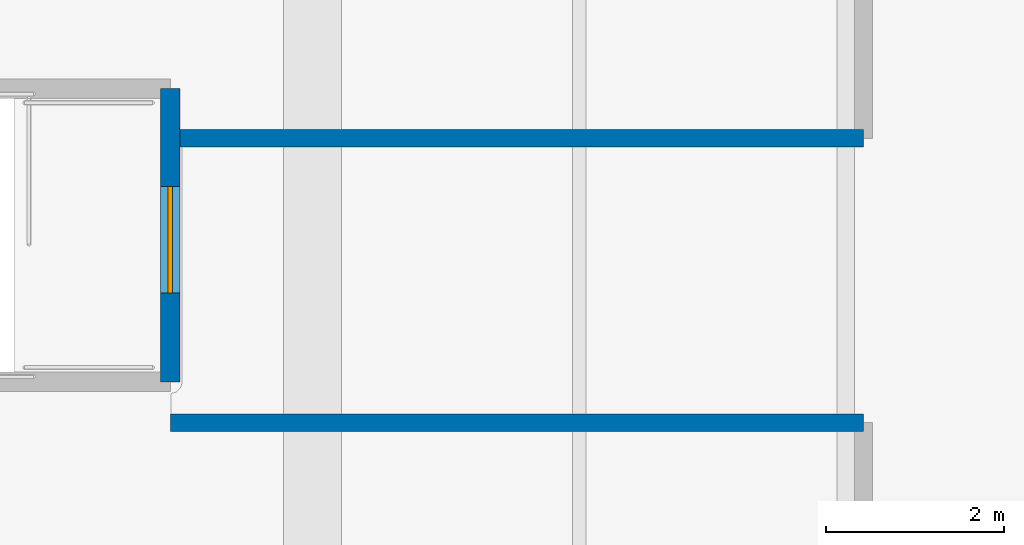
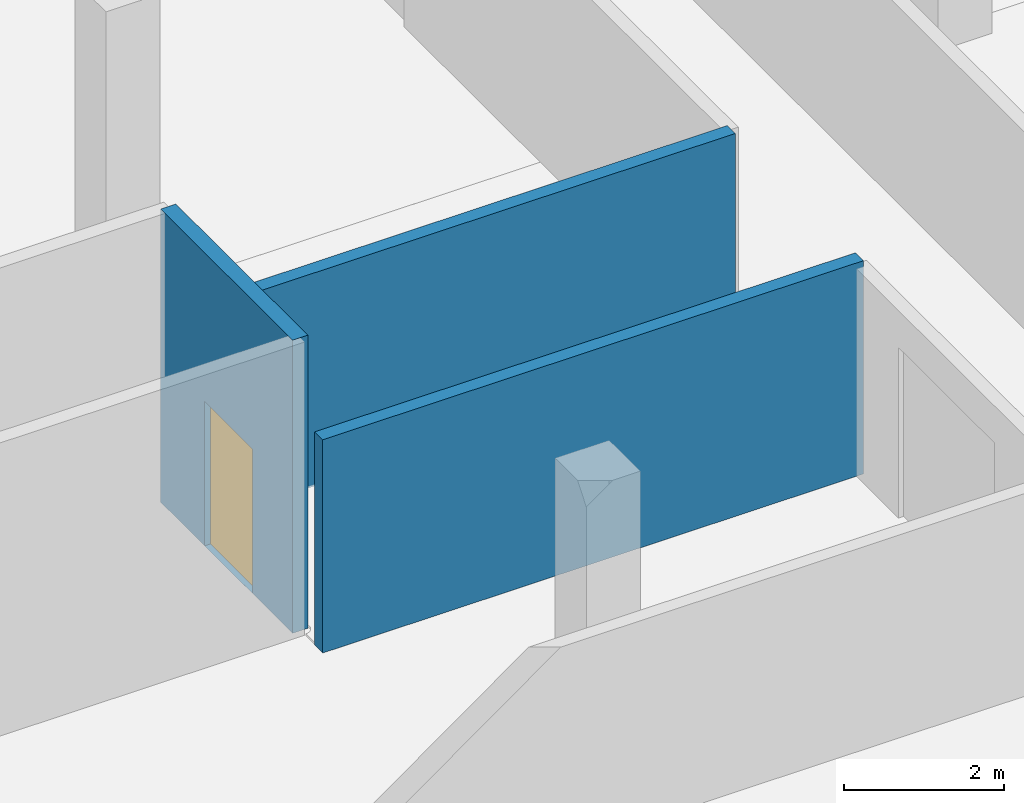
# One storey, part 80 of 112: 3 walls, 1 door, 1 opening.
"""IFC4 building model written with IfcOpenShell, lengths in metres."""

from ifc_helpers import new_model, si_unit, direction, frame, frame_2d, origin, place, context, subcontext, project, spatial, rectangle, extrude, material, layer, layer_set, type_object, element, fill, save


model = new_model("IFC4")

# Units and contexts
model_context = context("Model", 3, precision=1e-05, world=origin(), true_north=direction((0.0, 1.0)))
body_context = subcontext(model_context, "Body", "Model", "MODEL_VIEW")
ifc_project = project(units=[si_unit("LENGTHUNIT", "METRE"), si_unit("AREAUNIT", "SQUARE_METRE"), si_unit("VOLUMEUNIT", "CUBIC_METRE"), si_unit("PLANEANGLEUNIT", "RADIAN"), si_unit("MASSUNIT", "GRAM", prefix="KILO")], contexts=[model_context])

# Site, building, storey
site_placement = place(None, origin())
site = spatial("IfcSite", under=ifc_project, at=site_placement, CompositionType="ELEMENT")
building_placement = place(site_placement, origin())
building = spatial("IfcBuilding", under=site, at=building_placement, Name="Kamomehara Wholesale Market", CompositionType="ELEMENT")
storey_placement = place(building_placement, frame((0.0, 0.0, 6.60009765625)))
storey = spatial("IfcBuildingStorey", under=building, at=storey_placement, Name="L01", CompositionType="ELEMENT", Elevation=6.60009765625)

# Walls
ifc_material_1 = material(Name="Gypsum board partition")
ifc_layer_1 = layer(ifc_material_1, 0.199951171875)
ifc_layer_set_1 = layer_set([ifc_layer_1], Name="Gypsum board partition")
wall_type_1 = type_object("IfcWallType", Name="IW-PRT-200", PredefinedType="PARTITIONING", material=ifc_layer_set_1)
for number, where, z_axis, x_axis, name in (
    (1, (10.39990234375, 100.199951171875, 0.0), (0.0, 0.0, 1.0), (1.0, 0.0, 0.0), "Interior wall IW-PRT-200 304"),
    (2, (10.39990234375, 103.39990234375, 0.0), (0.0, 0.0, 1.0), (1.0, 0.0, 0.0), "Interior wall IW-PRT-200 305"),
):
    element("IfcWall", number, at=place(storey_placement, frame(where, z_axis=z_axis, x_axis=x_axis)), inside=storey, type_object=wall_type_1, Name=name, PredefinedType="PARTITIONING", context=body_context, shape_type="SweptSolid", body=[
        extrude(rectangle(XDim=7.800048828125, YDim=0.199951171875, at=frame_2d((3.89990234375, 0.0))), origin(), (0.0, 0.0, 1.0), 3.2529296875),
    ])

# Wall, opening, door
ifc_material_2 = material(Name="Concrete Fc36 (C35/45)", Category="concrete")
ifc_layer_2 = layer(ifc_material_2, 0.219970703125)
ifc_layer_set_2 = layer_set([ifc_layer_2], Name="Concrete Fc36 (C35/45)")
wall_type_2 = type_object("IfcWallType", Name="IW-SHR-220", PredefinedType="SHEAR", material=ifc_layer_set_2)
wall_placement = place(storey_placement, frame((10.39990234375, 100.659912109375, 0.0), z_axis=(0.0, 0.0, 1.0), x_axis=(0.0, 1.0, 0.0)))
wall = element("IfcWall", 3, at=wall_placement, inside=storey, type_object=wall_type_2, Name="Interior wall IW-SHR-220 185", PredefinedType="SHEAR", context=body_context, shape_type="SweptSolid", body=[
    extrude(rectangle(XDim=3.300048828125, YDim=0.219970703125, at=frame_2d((1.64990234375, 0.0))), origin(), (0.0, 0.0, 1.0), 4.469970703125),
])
opening_placement = place(wall_placement, frame((1.0, 0.0, 0.0)))
opening = element("IfcOpeningElement", 4, at=opening_placement, cuts=wall, Name="Opening FD-ST-15-L01", PredefinedType="OPENING", context=body_context, shape_type="SweptSolid", body=[
    extrude(rectangle(XDim=1.199951171875, YDim=2.199951171875, at=frame_2d((0.60009765625, 1.10009765625))), frame((0.0, 0.125, 0.0), z_axis=(0.0, -1.0, 0.0), x_axis=(1.0, 0.0, 0.0)), (0.0, 0.0, 1.0), 0.249755859375),
])
ifc_material_3 = material(Name="Steel SN400B", Category="steel")
door_type = type_object("IfcDoorType", Name="IDR-FD-1200x2200", OperationType="NOTDEFINED", PredefinedType="DOOR", material=ifc_material_3)
door_placement = place(opening_placement, origin())
door = element("IfcDoor", 5, at=door_placement, inside=storey, type_object=door_type, Name="Stair fire door FD-ST-15-L01", OperationType="SINGLE_SWING_LEFT", OverallHeight=2.199951171875, OverallWidth=1.199951171875, PredefinedType="DOOR", context=body_context, shape_type="SweptSolid", body=[
    extrude(rectangle(XDim=1.199951171875, YDim=2.199951171875, at=frame_2d((0.60009765625, 1.10009765625))), frame((0.0, 0.02490234375, 0.0), z_axis=(0.0, -1.0, 0.0), x_axis=(1.0, 0.0, 0.0)), (0.0, 0.0, 1.0), 0.050048828125),
])
fill(opening, door)

save(model, "model.ifc")
